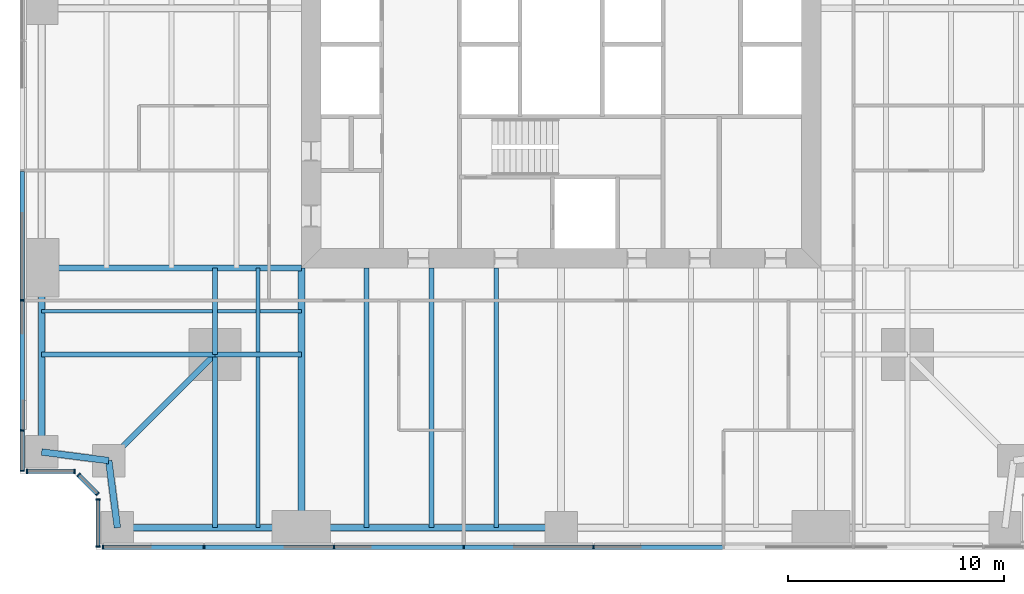
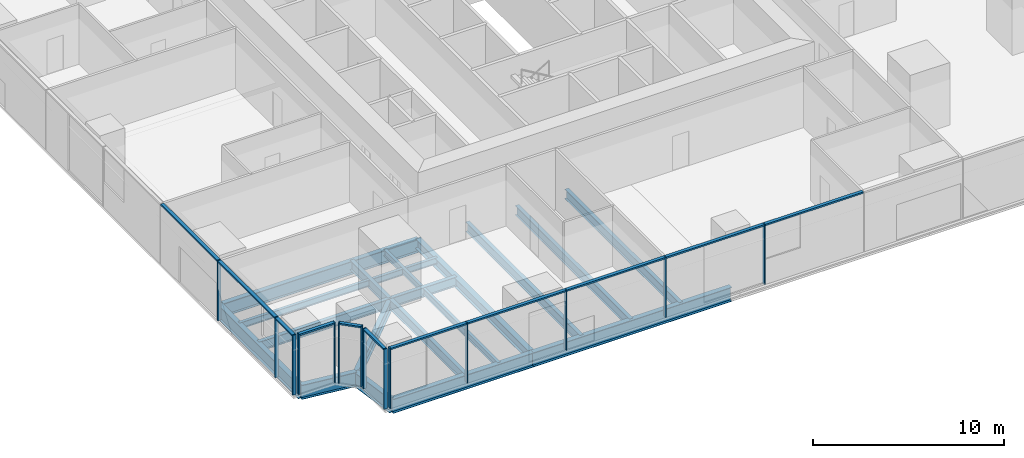
# One storey, part 2 of 13: 25 members, 20 beams, 5 elements without a shape of their own.
"""IFC4 building model written with IfcOpenShell, lengths in metres."""

import ifcopenshell
import ifcopenshell.guid

model = None  # the IFC model being written
_history = None  # IfcOwnerHistory: only IFC2X3 demands one
_inside = {}  # id of a spatial element -> (the spatial element, [elements in it])
_under = {}  # id of a project, library or spatial element -> (it, [spatial elements below it])
_declared = {}  # id of a project -> (the project, [libraries it declares])
_typed = {}  # id of a type object -> (the type object, [elements of that type])
_made_of = {}  # id of a material, layer set ... -> (it, [elements and type objects made of it])


def new_model(schema):
    """Start an empty IFC model of exactly this schema.

    Asked for "IFC4X3", IfcOpenShell would pick the latest addendum, in which some entities
    have other attributes; the version numbers below select the first issue.
    IFC2X3 requires an IfcOwnerHistory on every rooted entity: one is made here for all.
    """
    global model, _history
    if schema == "IFC4X3":
        model = ifcopenshell.file(schema_version=(4, 3, 0, 0))
    else:
        model = ifcopenshell.file(schema=schema)
    _inside.clear()
    _under.clear()
    _declared.clear()
    _typed.clear()
    _made_of.clear()
    _history = None
    if model.schema == "IFC2X3":
        org = make("IfcOrganization", Name="unknown")
        user = make(
            "IfcPersonAndOrganization",
            ThePerson=make("IfcPerson", FamilyName="unknown"),
            TheOrganization=org,
        )
        app = make(
            "IfcApplication",
            ApplicationDeveloper=org,
            Version="unknown",
            ApplicationFullName="unknown",
            ApplicationIdentifier="unknown",
        )
        _history = make(
            "IfcOwnerHistory",
            OwningUser=user,
            OwningApplication=app,
            ChangeAction="ADDED",
            CreationDate=0,
        )
    return model


def make(cls, **values):
    """One entity of the class cls with the attributes given. An attribute that is None is left unset."""
    return model.create_entity(
        cls, **{name: value for name, value in values.items() if value is not None}
    )


def rooted(cls, **values):
    """An entity with a GlobalId (a new one), such as an element, a storey or a relation."""
    return make(cls, GlobalId=ifcopenshell.guid.new(), OwnerHistory=_history, **values)


def si_unit(unit_type, name, prefix=None):
    """IfcSIUnit, for example si_unit("LENGTHUNIT", "METRE", prefix="MILLI")."""
    return make("IfcSIUnit", UnitType=unit_type, Prefix=prefix, Name=name)


def assignment(units):
    """IfcUnitAssignment: the units of a project."""
    return None if units is None else make("IfcUnitAssignment", Units=units)


def point(xyz):
    """IfcCartesianPoint."""
    return None if xyz is None else make("IfcCartesianPoint", Coordinates=xyz)


def direction(xyz):
    """IfcDirection."""
    return None if xyz is None else make("IfcDirection", DirectionRatios=xyz)


def frame(location, z_axis=None, x_axis=None):
    """IfcAxis2Placement3D, a coordinate frame: its origin and axes. An axis left out is left unset."""
    return make(
        "IfcAxis2Placement3D",
        Location=point(location),
        Axis=direction(z_axis),
        RefDirection=direction(x_axis),
    )


def frame_2d(location, x_axis=None):
    """IfcAxis2Placement2D, a coordinate frame in the plane: its origin and x axis."""
    return make(
        "IfcAxis2Placement2D", Location=point(location), RefDirection=direction(x_axis)
    )


def origin():
    """The frame at (0, 0, 0) with its axes left unset."""
    return frame((0.0, 0.0, 0.0))


def origin_2d():
    """The frame at (0, 0) in the plane with its x axis left unset."""
    return frame_2d((0.0, 0.0))


def place(relative_to, where):
    """IfcLocalPlacement: puts the frame where relative to a parent placement (None: the world)."""
    return make(
        "IfcLocalPlacement", PlacementRelTo=relative_to, RelativePlacement=where
    )


def context(
    kind, dimensions, precision=None, world=None, true_north=None, identifier=None
):
    """IfcGeometricRepresentationContext, for example the 3D "Model" context."""
    return make(
        "IfcGeometricRepresentationContext",
        ContextIdentifier=identifier,
        ContextType=kind,
        CoordinateSpaceDimension=dimensions,
        Precision=precision,
        WorldCoordinateSystem=world,
        TrueNorth=true_north,
    )


def subcontext(parent, identifier, kind, view, scale=None):
    """IfcGeometricRepresentationSubContext, for example "Body" below "Model"."""
    return make(
        "IfcGeometricRepresentationSubContext",
        ContextIdentifier=identifier,
        ContextType=kind,
        ParentContext=parent,
        TargetScale=scale,
        TargetView=view,
    )


def project(units=None, contexts=None):
    """IfcProject with its units and contexts."""
    return rooted(
        "IfcProject",
        Name="project",
        RepresentationContexts=contexts,
        UnitsInContext=assignment(units),
    )


def spatial(cls, under=None, at=None, **own):
    """A site, building, storey or space (cls), placed at a placement, below another one or the project."""
    s = rooted(cls, ObjectPlacement=at, **own)
    if under is not None:
        _under.setdefault(under.id(), (under, []))[1].append(s)
    return s


def profile(cls, at=None, kind="AREA", **sizes):
    """A parametric profile (cls). Its sizes go by their IFC names, for example OverallWidth=200.0."""
    return make(cls, ProfileType=kind, Position=at, **sizes)


def rectangle(**sizes):
    """IfcRectangleProfileDef."""
    return profile("IfcRectangleProfileDef", **sizes)


def i_section(**sizes):
    """IfcIShapeProfileDef."""
    return profile("IfcIShapeProfileDef", **sizes)


def extrude(swept, where, along, depth):
    """IfcExtrudedAreaSolid: the profile swept, set in the frame where, extruded along a direction by depth."""
    return make(
        "IfcExtrudedAreaSolid",
        SweptArea=swept,
        Position=where,
        ExtrudedDirection=direction(along),
        Depth=depth,
    )


def shape(context_of_items, identifier, shape_type, items):
    """IfcShapeRepresentation: the items that make up one representation, for example the "Body"."""
    return make(
        "IfcShapeRepresentation",
        ContextOfItems=context_of_items,
        RepresentationIdentifier=identifier,
        RepresentationType=shape_type,
        Items=items,
    )


def material(Name=None, Category=None):
    """IfcMaterial."""
    return make("IfcMaterial", Name=Name, Category=Category)


def material_profile(
    of_material, cross_section, Name=None, Category=None, Priority=None
):
    """IfcMaterialProfile: a cross section and its material."""
    return make(
        "IfcMaterialProfile",
        Name=Name,
        Material=of_material,
        Profile=cross_section,
        Priority=Priority,
        Category=Category,
    )


def profile_set(profiles, Name=None, composite=None):
    """IfcMaterialProfileSet."""
    return make(
        "IfcMaterialProfileSet",
        Name=Name,
        MaterialProfiles=profiles,
        CompositeProfile=composite,
    )


def made_of(thing, what):
    """Note that an element or type object is made of a material, layer set ...; save() writes the relation."""
    if what is not None:
        _made_of.setdefault(what.id(), (what, []))[1].append(thing)
    return thing


def type_object(cls, material=None, **own):
    """A type object (cls), such as IfcWallType, which elements share."""
    return made_of(rooted(cls, **own), material)


def element(
    cls,
    number,
    at=None,
    inside=None,
    cuts=None,
    type_object=None,
    material=None,
    context=None,
    identifier="Body",
    shape_type=None,
    held_by="IfcProductDefinitionShape",
    body=None,
    shapes=None,
    **own,
):
    """One element of the class cls, such as IfcWall. Its Tag is "e" and its number.

    at: its placement. inside: the storey or other place that contains it. cuts: it is an
    opening in that element (IfcRelVoidsElement). A single representation is given by context,
    identifier, shape_type and body (its items); several are given by shapes. held_by: the class
    of the entity that holds the representations. save() writes the other relations.
    """
    e = rooted(cls, Tag="e%d" % number, ObjectPlacement=at, **own)
    if body is not None:
        shapes = [shape(context, identifier, shape_type, body)]
    if shapes is not None:
        e.Representation = make(held_by, Representations=shapes)
    if inside is not None:
        _inside.setdefault(inside.id(), (inside, []))[1].append(e)
    if cuts is not None:
        rooted(
            "IfcRelVoidsElement", RelatingBuildingElement=cuts, RelatedOpeningElement=e
        )
    if type_object is not None:
        _typed.setdefault(type_object.id(), (type_object, []))[1].append(e)
    return made_of(e, material)


def aggregate(whole, parts):
    """IfcRelAggregates: a whole, such as a stair, and the parts it consists of."""
    return rooted("IfcRelAggregates", RelatingObject=whole, RelatedObjects=parts)


def save(model, path):
    """Write the relations noted so far, then the file.

    IfcRelAggregates (storeys below a building ...), IfcRelContainedInSpatialStructure (elements
    in a storey), IfcRelDefinesByType, IfcRelAssociatesMaterial and IfcRelDeclares: one each for
    every whole, place, type object, material and project.
    """
    for whole, parts in _under.values():
        aggregate(whole, parts)
    for where, things in _inside.values():
        rooted(
            "IfcRelContainedInSpatialStructure",
            RelatedElements=things,
            RelatingStructure=where,
        )
    for kind, things in _typed.values():
        rooted("IfcRelDefinesByType", RelatedObjects=things, RelatingType=kind)
    for what, things in _made_of.values():
        rooted("IfcRelAssociatesMaterial", RelatedObjects=things, RelatingMaterial=what)
    for by, libraries in _declared.values():
        rooted("IfcRelDeclares", RelatingContext=by, RelatedDefinitions=libraries)
    model.write(path)


model = new_model("IFC4")

# Units and contexts
model_context = context("Model", 3, precision=1e-05, world=origin(), true_north=direction((0.0, 1.0)))
body_context = subcontext(model_context, "Body", "Model", "MODEL_VIEW")
ifc_project = project(units=[si_unit("LENGTHUNIT", "METRE"), si_unit("AREAUNIT", "SQUARE_METRE"), si_unit("VOLUMEUNIT", "CUBIC_METRE"), si_unit("PLANEANGLEUNIT", "RADIAN"), si_unit("MASSUNIT", "GRAM", prefix="KILO")], contexts=[model_context])

# Site, building, storey
site_placement = place(None, origin())
site = spatial("IfcSite", under=ifc_project, at=site_placement, CompositionType="ELEMENT")
building_placement = place(site_placement, origin())
building = spatial("IfcBuilding", under=site, at=building_placement, Name="Fenwick Lantern Interchange", CompositionType="ELEMENT")
storey_placement = place(building_placement, frame((0.0, 0.0, 47.0)))
storey = spatial("IfcBuildingStorey", under=building, at=storey_placement, Name="L10", CompositionType="ELEMENT", Elevation=47.0)

# Beams
ifc_material_1 = material(Name="Steel ASTM A992 Grade 50", Category="steel")
ifc_material_profile_1 = material_profile(ifc_material_1, i_section(OverallWidth=0.3046875, OverallDepth=0.911865234375, WebThickness=0.015869140625, FlangeThickness=0.02392578125, at=origin_2d()), Name="W36X150")
ifc_profile_set_1 = profile_set([ifc_material_profile_1], Name="Steel ASTM A992 Grade 50")
beam_type_1 = type_object("IfcBeamType", Name="EDGE BEAM W36X150", PredefinedType="SPANDREL", material=ifc_profile_set_1)
beam_1_placement = place(storey_placement, frame((4.5, 1.0, -0.60595703125), z_axis=(1.0, 0.0, 0.0), x_axis=(0.0, 1.0, 0.0)))
element("IfcBeam", 1, at=beam_1_placement, inside=storey, type_object=beam_type_1, Name="L10/FR/S/EB1", PredefinedType="SPANDREL", context=body_context, shape_type="SweptSolid", body=[
    extrude(i_section(OverallWidth=0.3046875, OverallDepth=0.911865234375, WebThickness=0.015869140625, FlangeThickness=0.02392578125, at=origin_2d()), origin(), (0.0, 0.0, 1.0), 8.5),
])
beam_2_placement = place(storey_placement, frame((13.0, 1.0, -0.60595703125), z_axis=(1.0, 0.0, 0.0), x_axis=(0.0, 1.0, 0.0)))
element("IfcBeam", 2, at=beam_2_placement, inside=storey, type_object=beam_type_1, Name="L10/FR/S/EB2", PredefinedType="SPANDREL", context=body_context, shape_type="SweptSolid", body=[
    extrude(i_section(OverallWidth=0.3046875, OverallDepth=0.911865234375, WebThickness=0.015869140625, FlangeThickness=0.02392578125, at=origin_2d()), origin(), (0.0, 0.0, 1.0), 12.0),
])
beam_3_placement = place(storey_placement, frame((1.0, 13.0, -0.60595703125), z_axis=(0.0, -1.0, 0.0), x_axis=(1.0, 0.0, 0.0)))
element("IfcBeam", 3, at=beam_3_placement, inside=storey, type_object=beam_type_1, Name="L10/FR/W/EB4", PredefinedType="SPANDREL", context=body_context, shape_type="SweptSolid", body=[
    extrude(i_section(OverallWidth=0.3046875, OverallDepth=0.911865234375, WebThickness=0.015869140625, FlangeThickness=0.02392578125, at=origin_2d()), origin(), (0.0, 0.0, 1.0), 8.5),
])
for number, where, z_axis, x_axis, name in (
    (4, (1.0, 4.5, -0.60595703125), (0.991782342897, -0.127936641807, 0.0), (0.127936641807, 0.991782342897, 0.0), "L10/FR/W/EBR1"),
    (5, (4.10009765625, 4.10009765625, -0.60595703125), (0.127936641807, -0.991782342897, 0.0), (0.991782342897, 0.127936641807, 0.0), "L10/FR/W/EBR2"),
):
    element("IfcBeam", number, at=place(storey_placement, frame(where, z_axis=z_axis, x_axis=x_axis)), inside=storey, type_object=beam_type_1, Name=name, PredefinedType="SPANDREL", context=body_context, shape_type="SweptSolid", body=[
        extrude(i_section(OverallWidth=0.3046875, OverallDepth=0.911865234375, WebThickness=0.015869140625, FlangeThickness=0.02392578125, at=origin_2d()), origin(), (0.0, 0.0, 1.0), 3.125732421875),
    ])
ifc_material_profile_2 = material_profile(ifc_material_1, i_section(OverallWidth=0.22900390625, OverallDepth=0.612060546875, WebThickness=0.011962890625, FlangeThickness=0.01953125, at=origin_2d()), Name="W24X84")
ifc_profile_set_2 = profile_set([ifc_material_profile_2], Name="Steel ASTM A992 Grade 50")
beam_type_2 = type_object("IfcBeamType", Name="FLOOR BEAM W24X84", PredefinedType="BEAM", material=ifc_profile_set_2)
for number, where, z_axis, x_axis, name in (
    (6, (16.0, 1.0, -0.4560546875), (0.0, 1.0, 0.0), (-1.0, 0.0, 0.0), "L10/FR/S/R02"),
    (7, (19.0, 1.0, -0.4560546875), (0.0, 1.0, 0.0), (-1.0, 0.0, 0.0), "L10/FR/S/R03"),
    (8, (22.0, 1.0, -0.4560546875), (0.0, 1.0, 0.0), (-1.0, 0.0, 0.0), "L10/FR/S/R04"),
):
    element("IfcBeam", number, at=place(storey_placement, frame(where, z_axis=z_axis, x_axis=x_axis)), inside=storey, type_object=beam_type_2, Name=name, PredefinedType="BEAM", context=body_context, shape_type="SweptSolid", body=[
        extrude(i_section(OverallWidth=0.22900390625, OverallDepth=0.612060546875, WebThickness=0.011962890625, FlangeThickness=0.01953125, at=origin_2d()), origin(), (0.0, 0.0, 1.0), 12.0),
    ])
ifc_material_profile_3 = material_profile(ifc_material_1, i_section(OverallWidth=0.177734375, OverallDepth=0.406494140625, WebThickness=0.0078125, FlangeThickness=0.012939453125, at=origin_2d()), Name="W16X40")
ifc_profile_set_3 = profile_set([ifc_material_profile_3], Name="Steel ASTM A992 Grade 50")
beam_type_3 = type_object("IfcBeamType", Name="INFILL BEAM W16X40", PredefinedType="JOIST", material=ifc_profile_set_3)
beam_4_placement = place(storey_placement, frame((11.0, 1.0, -0.353271484375), z_axis=(0.0, 1.0, 0.0), x_axis=(-1.0, 0.0, 0.0)))
element("IfcBeam", 9, at=beam_4_placement, inside=storey, type_object=beam_type_3, Name="L10/FR/S/J1", PredefinedType="JOIST", context=body_context, shape_type="SweptSolid", body=[
    extrude(i_section(OverallWidth=0.177734375, OverallDepth=0.406494140625, WebThickness=0.0078125, FlangeThickness=0.012939453125, at=origin_2d()), origin(), (0.0, 0.0, 1.0), 7.885498046875),
])
beam_5_placement = place(storey_placement, frame((11.0, 9.114501953125, -0.353271484375), z_axis=(0.0, 1.0, 0.0), x_axis=(-1.0, 0.0, 0.0)))
element("IfcBeam", 10, at=beam_5_placement, inside=storey, type_object=beam_type_3, Name="L10/FR/S/J2", PredefinedType="JOIST", context=body_context, shape_type="SweptSolid", body=[
    extrude(i_section(OverallWidth=0.177734375, OverallDepth=0.406494140625, WebThickness=0.0078125, FlangeThickness=0.012939453125, at=origin_2d()), origin(), (0.0, 0.0, 1.0), 3.885498046875),
])
beam_6_placement = place(storey_placement, frame((1.0, 11.0, -0.353271484375), z_axis=(1.0, 0.0, 0.0), x_axis=(0.0, 1.0, 0.0)))
element("IfcBeam", 11, at=beam_6_placement, inside=storey, type_object=beam_type_3, Name="L10/FR/S/J3", PredefinedType="JOIST", context=body_context, shape_type="SweptSolid", body=[
    extrude(i_section(OverallWidth=0.177734375, OverallDepth=0.406494140625, WebThickness=0.0078125, FlangeThickness=0.012939453125, at=origin_2d()), origin(), (0.0, 0.0, 1.0), 7.885498046875),
])
beam_7_placement = place(storey_placement, frame((9.114501953125, 11.0, -0.353271484375), z_axis=(1.0, 0.0, 0.0), x_axis=(0.0, 1.0, 0.0)))
element("IfcBeam", 12, at=beam_7_placement, inside=storey, type_object=beam_type_3, Name="L10/FR/S/J4", PredefinedType="JOIST", context=body_context, shape_type="SweptSolid", body=[
    extrude(i_section(OverallWidth=0.177734375, OverallDepth=0.406494140625, WebThickness=0.0078125, FlangeThickness=0.012939453125, at=origin_2d()), origin(), (0.0, 0.0, 1.0), 1.796630859375),
])
beam_8_placement = place(storey_placement, frame((11.0888671875, 11.0, -0.353271484375), z_axis=(1.0, 0.0, 0.0), x_axis=(0.0, 1.0, 0.0)))
element("IfcBeam", 13, at=beam_8_placement, inside=storey, type_object=beam_type_3, Name="L10/FR/S/J5", PredefinedType="JOIST", context=body_context, shape_type="SweptSolid", body=[
    extrude(i_section(OverallWidth=0.177734375, OverallDepth=0.406494140625, WebThickness=0.0078125, FlangeThickness=0.012939453125, at=origin_2d()), origin(), (0.0, 0.0, 1.0), 1.9111328125),
])
ifc_material_profile_4 = material_profile(ifc_material_1, i_section(OverallWidth=0.22900390625, OverallDepth=0.612060546875, WebThickness=0.011962890625, FlangeThickness=0.01953125, at=origin_2d()), Name="W24X84")
ifc_profile_set_4 = profile_set([ifc_material_profile_4], Name="Steel ASTM A992 Grade 50")
beam_type_4 = type_object("IfcBeamType", Name="MEGA COLUMN BEAM W24X84", PredefinedType="BEAM", material=ifc_profile_set_4)
for number, where, z_axis, x_axis, name in (
    (14, (9.0, 9.0, -0.4560546875), (0.0, -1.0, 0.0), (1.0, 0.0, 0.0), "L10/FR/S/MB1"),
    (15, (9.0, 9.0, -0.4560546875), (-1.0, 0.0, 0.0), (0.0, -1.0, 0.0), "L10/FR/S/MB2"),
):
    element("IfcBeam", number, at=place(storey_placement, frame(where, z_axis=z_axis, x_axis=x_axis)), inside=storey, type_object=beam_type_4, Name=name, PredefinedType="BEAM", context=body_context, shape_type="SweptSolid", body=[
        extrude(i_section(OverallWidth=0.22900390625, OverallDepth=0.612060546875, WebThickness=0.011962890625, FlangeThickness=0.01953125, at=origin_2d()), origin(), (0.0, 0.0, 1.0), 8.0),
    ])
for number, where, z_axis, x_axis, name in (
    (16, (9.0, 9.0, -0.4560546875), (1.0, 0.0, 0.0), (0.0, 1.0, 0.0), "L10/FR/S/MB3"),
    (17, (9.0, 9.0, -0.4560546875), (0.0, 1.0, 0.0), (-1.0, 0.0, 0.0), "L10/FR/S/MB4"),
):
    element("IfcBeam", number, at=place(storey_placement, frame(where, z_axis=z_axis, x_axis=x_axis)), inside=storey, type_object=beam_type_4, Name=name, PredefinedType="BEAM", context=body_context, shape_type="SweptSolid", body=[
        extrude(i_section(OverallWidth=0.22900390625, OverallDepth=0.612060546875, WebThickness=0.011962890625, FlangeThickness=0.01953125, at=origin_2d()), origin(), (0.0, 0.0, 1.0), 4.0),
    ])
ifc_material_profile_5 = material_profile(ifc_material_1, i_section(OverallWidth=0.32763671875, OverallDepth=0.622314453125, WebThickness=0.015380859375, FlangeThickness=0.0244140625, at=origin_2d()), Name="W24X131")
ifc_profile_set_5 = profile_set([ifc_material_profile_5], Name="Steel ASTM A992 Grade 50")
beam_type_5 = type_object("IfcBeamType", Name="MOMENT-CONNECTED GIRDER W24X131", PredefinedType="BEAM", material=ifc_profile_set_5)
beam_9_placement = place(storey_placement, frame((13.0, 1.0, -0.461181640625), z_axis=(0.0, 1.0, 0.0), x_axis=(-1.0, 0.0, 0.0)))
element("IfcBeam", 18, at=beam_9_placement, inside=storey, type_object=beam_type_5, Name="L10/FR/S/R01", PredefinedType="BEAM", context=body_context, shape_type="SweptSolid", body=[
    extrude(i_section(OverallWidth=0.32763671875, OverallDepth=0.622314453125, WebThickness=0.015380859375, FlangeThickness=0.0244140625, at=origin_2d()), origin(), (0.0, 0.0, 1.0), 12.0),
])
ifc_material_profile_6 = material_profile(ifc_material_1, i_section(OverallWidth=0.2919921875, OverallDepth=0.845703125, WebThickness=0.015380859375, FlangeThickness=0.0244140625, at=origin_2d()), Name="W33X141")
ifc_profile_set_6 = profile_set([ifc_material_profile_6], Name="Steel ASTM A992 Grade 50")
beam_type_6 = type_object("IfcBeamType", Name="MOMENT-CONNECTED GIRDER W33X141", PredefinedType="BEAM", material=ifc_profile_set_6)
beam_10_placement = place(storey_placement, frame((1.0, 13.0, -0.572998046875), z_axis=(1.0, 0.0, 0.0), x_axis=(0.0, 1.0, 0.0)))
element("IfcBeam", 19, at=beam_10_placement, inside=storey, type_object=beam_type_6, Name="L10/FR/W/R03", PredefinedType="BEAM", context=body_context, shape_type="SweptSolid", body=[
    extrude(i_section(OverallWidth=0.2919921875, OverallDepth=0.845703125, WebThickness=0.015380859375, FlangeThickness=0.0244140625, at=origin_2d()), origin(), (0.0, 0.0, 1.0), 12.0),
])
ifc_material_profile_7 = material_profile(ifc_material_1, i_section(OverallWidth=0.2666015625, OverallDepth=0.7568359375, WebThickness=0.013916015625, FlangeThickness=0.019287109375, at=origin_2d()), Name="W30X108")
ifc_profile_set_7 = profile_set([ifc_material_profile_7], Name="Steel ASTM A992 Grade 50")
beam_type_7 = type_object("IfcBeamType", Name="NOTCH BEAM W30X108", PredefinedType="BEAM", material=ifc_profile_set_7)
beam_11_placement = place(storey_placement, frame((9.0, 9.0, -0.528564453125), z_axis=(-0.707106781187, -0.707106781187, 0.0), x_axis=(0.707106781187, -0.707106781187, 0.0)))
element("IfcBeam", 20, at=beam_11_placement, inside=storey, type_object=beam_type_7, Name="L10/FR/S/TG", PredefinedType="BEAM", context=body_context, shape_type="SweptSolid", body=[
    extrude(i_section(OverallWidth=0.2666015625, OverallDepth=0.7568359375, WebThickness=0.013916015625, FlangeThickness=0.019287109375, at=origin_2d()), origin(), (0.0, 0.0, 1.0), 6.929443359375),
])

# Curtain wall, members
ifc_material_2 = material(Name="Aluminium curtain wall frame", Category="aluminium")
curtain_wall_type = type_object("IfcCurtainWallType", Name="OFFICE CURTAIN WALL", PredefinedType="USERDEFINED", material=ifc_material_2)
curtain_wall_1_placement = place(storey_placement, origin())
curtain_wall_1 = element("IfcCurtainWall", 21, at=curtain_wall_1_placement, inside=storey, type_object=curtain_wall_type, Name="Office curtain wall 01", ObjectType="OFFICE CURTAIN WALL", PredefinedType="USERDEFINED")
ifc_material_3 = material(Name="Aluminium extrusion", Category="aluminium")
ifc_material_profile_8 = material_profile(ifc_material_3, rectangle(XDim=0.199951171875, YDim=0.06494140625, at=origin_2d()), Name="OFFICE CURTAIN WALL MULLION 65 X 200")
ifc_profile_set_8 = profile_set([ifc_material_profile_8], Name="Aluminium extrusion")
member_type_1 = type_object("IfcMemberType", Name="OFFICE CURTAIN WALL MULLION 65 X 200", PredefinedType="MULLION", material=ifc_profile_set_8)
member_1_placement = place(storey_placement, frame((3.83251953125, 0.10009765625, 0.0), z_axis=(0.0, 0.0, 1.0), x_axis=(0.0, 1.0, 0.0)))
member_1 = element("IfcMember", 22, at=member_1_placement, type_object=member_type_1, Name="L10/CW/01/M00", PredefinedType="MULLION", context=body_context, shape_type="SweptSolid", body=[
    extrude(rectangle(XDim=0.199951171875, YDim=0.06494140625, at=origin_2d()), origin(), (0.0, 0.0, 1.0), 3.85009765625),
])
member_2_placement = place(storey_placement, frame((8.5, 0.10009765625, 0.0), z_axis=(0.0, 0.0, 1.0), x_axis=(0.0, 1.0, 0.0)))
member_2 = element("IfcMember", 23, at=member_2_placement, type_object=member_type_1, Name="L10/CW/01/M01", PredefinedType="MULLION", context=body_context, shape_type="SweptSolid", body=[
    extrude(rectangle(XDim=0.199951171875, YDim=0.06494140625, at=origin_2d()), origin(), (0.0, 0.0, 1.0), 3.85009765625),
])
member_3_placement = place(storey_placement, frame((14.5, 0.10009765625, 0.0), z_axis=(0.0, 0.0, 1.0), x_axis=(0.0, 1.0, 0.0)))
member_3 = element("IfcMember", 24, at=member_3_placement, type_object=member_type_1, Name="L10/CW/01/M02", PredefinedType="MULLION", context=body_context, shape_type="SweptSolid", body=[
    extrude(rectangle(XDim=0.199951171875, YDim=0.06494140625, at=origin_2d()), origin(), (0.0, 0.0, 1.0), 3.85009765625),
])
member_4_placement = place(storey_placement, frame((20.5, 0.10009765625, 0.0), z_axis=(0.0, 0.0, 1.0), x_axis=(0.0, 1.0, 0.0)))
member_4 = element("IfcMember", 25, at=member_4_placement, type_object=member_type_1, Name="L10/CW/01/M03", PredefinedType="MULLION", context=body_context, shape_type="SweptSolid", body=[
    extrude(rectangle(XDim=0.199951171875, YDim=0.06494140625, at=origin_2d()), origin(), (0.0, 0.0, 1.0), 3.85009765625),
])
member_5_placement = place(storey_placement, frame((26.5, 0.10009765625, 0.0), z_axis=(0.0, 0.0, 1.0), x_axis=(0.0, 1.0, 0.0)))
member_5 = element("IfcMember", 26, at=member_5_placement, type_object=member_type_1, Name="L10/CW/01/M04", PredefinedType="MULLION", context=body_context, shape_type="SweptSolid", body=[
    extrude(rectangle(XDim=0.199951171875, YDim=0.06494140625, at=origin_2d()), origin(), (0.0, 0.0, 1.0), 3.85009765625),
])

curtain_wall_2_placement = place(storey_placement, origin())
curtain_wall_2 = element("IfcCurtainWall", 27, at=curtain_wall_2_placement, inside=storey, type_object=curtain_wall_type, Name="Office curtain wall 13", ObjectType="OFFICE CURTAIN WALL", PredefinedType="USERDEFINED")
member_6_placement = place(storey_placement, frame((0.10009765625, 11.5, 0.0), z_axis=(0.0, 0.0, 1.0), x_axis=(1.0, 0.0, 0.0)))
member_6 = element("IfcMember", 28, at=member_6_placement, type_object=member_type_1, Name="L10/CW/13/M06", PredefinedType="MULLION", context=body_context, shape_type="SweptSolid", body=[
    extrude(rectangle(XDim=0.199951171875, YDim=0.06494140625, at=origin_2d()), origin(), (0.0, 0.0, 1.0), 3.85009765625),
])
member_7_placement = place(storey_placement, frame((0.10009765625, 5.5, 0.0), z_axis=(0.0, 0.0, 1.0), x_axis=(1.0, 0.0, 0.0)))
member_7 = element("IfcMember", 29, at=member_7_placement, type_object=member_type_1, Name="L10/CW/13/M07", PredefinedType="MULLION", context=body_context, shape_type="SweptSolid", body=[
    extrude(rectangle(XDim=0.199951171875, YDim=0.06494140625, at=origin_2d()), origin(), (0.0, 0.0, 1.0), 3.85009765625),
])
member_8_placement = place(storey_placement, frame((0.10009765625, 3.632568359375, 0.0), z_axis=(0.0, 0.0, 1.0), x_axis=(1.0, 0.0, 0.0)))
member_8 = element("IfcMember", 30, at=member_8_placement, type_object=member_type_1, Name="L10/CW/13/M08", PredefinedType="MULLION", context=body_context, shape_type="SweptSolid", body=[
    extrude(rectangle(XDim=0.199951171875, YDim=0.06494140625, at=origin_2d()), origin(), (0.0, 0.0, 1.0), 3.85009765625),
])

curtain_wall_3_placement = place(storey_placement, origin())
curtain_wall_3 = element("IfcCurtainWall", 31, at=curtain_wall_3_placement, inside=storey, type_object=curtain_wall_type, Name="Office curtain wall 14", ObjectType="OFFICE CURTAIN WALL", PredefinedType="USERDEFINED")
member_9_placement = place(storey_placement, frame((0.33251953125, 3.60009765625, 0.0), z_axis=(0.0, 0.0, 1.0), x_axis=(0.0, 1.0, 0.0)))
member_9 = element("IfcMember", 32, at=member_9_placement, type_object=member_type_1, Name="L10/CW/14/M00", PredefinedType="MULLION", context=body_context, shape_type="SweptSolid", body=[
    extrude(rectangle(XDim=0.199951171875, YDim=0.06494140625, at=origin_2d()), origin(), (0.0, 0.0, 1.0), 3.85009765625),
])
member_10_placement = place(storey_placement, frame((2.509033203125, 3.60009765625, 0.0), z_axis=(0.0, 0.0, 1.0), x_axis=(0.0, 1.0, 0.0)))
member_10 = element("IfcMember", 33, at=member_10_placement, type_object=member_type_1, Name="L10/CW/14/M01", PredefinedType="MULLION", context=body_context, shape_type="SweptSolid", body=[
    extrude(rectangle(XDim=0.199951171875, YDim=0.06494140625, at=origin_2d()), origin(), (0.0, 0.0, 1.0), 3.85009765625),
])

curtain_wall_4_placement = place(storey_placement, origin())
curtain_wall_4 = element("IfcCurtainWall", 34, at=curtain_wall_4_placement, inside=storey, type_object=curtain_wall_type, Name="Office curtain wall 15", ObjectType="OFFICE CURTAIN WALL", PredefinedType="USERDEFINED")
member_11_placement = place(storey_placement, frame((2.705810546875, 3.435546875, 0.0), z_axis=(0.0, 0.0, 1.0), x_axis=(0.707106781187, 0.707106781187, 0.0)))
member_11 = element("IfcMember", 35, at=member_11_placement, type_object=member_type_1, Name="L10/CW/15/M00", PredefinedType="MULLION", context=body_context, shape_type="SweptSolid", body=[
    extrude(rectangle(XDim=0.199951171875, YDim=0.06494140625, at=origin_2d()), origin(), (0.0, 0.0, 1.0), 3.85009765625),
])
member_12_placement = place(storey_placement, frame((3.576904296875, 2.564453125, 0.0), z_axis=(0.0, 0.0, 1.0), x_axis=(0.707106781187, 0.707106781187, 0.0)))
member_12 = element("IfcMember", 36, at=member_12_placement, type_object=member_type_1, Name="L10/CW/15/M01", PredefinedType="MULLION", context=body_context, shape_type="SweptSolid", body=[
    extrude(rectangle(XDim=0.199951171875, YDim=0.06494140625, at=origin_2d()), origin(), (0.0, 0.0, 1.0), 3.85009765625),
])

curtain_wall_5_placement = place(storey_placement, origin())
curtain_wall_5 = element("IfcCurtainWall", 37, at=curtain_wall_5_placement, inside=storey, type_object=curtain_wall_type, Name="Office curtain wall 16", ObjectType="OFFICE CURTAIN WALL", PredefinedType="USERDEFINED")
member_13_placement = place(storey_placement, frame((3.60009765625, 2.308837890625, 0.0), z_axis=(0.0, 0.0, 1.0), x_axis=(1.0, 0.0, 0.0)))
member_13 = element("IfcMember", 38, at=member_13_placement, type_object=member_type_1, Name="L10/CW/16/M00", PredefinedType="MULLION", context=body_context, shape_type="SweptSolid", body=[
    extrude(rectangle(XDim=0.199951171875, YDim=0.06494140625, at=origin_2d()), origin(), (0.0, 0.0, 1.0), 3.85009765625),
])
member_14_placement = place(storey_placement, frame((3.60009765625, 0.132568359375, 0.0), z_axis=(0.0, 0.0, 1.0), x_axis=(1.0, 0.0, 0.0)))
member_14 = element("IfcMember", 39, at=member_14_placement, type_object=member_type_1, Name="L10/CW/16/M01", PredefinedType="MULLION", context=body_context, shape_type="SweptSolid", body=[
    extrude(rectangle(XDim=0.199951171875, YDim=0.06494140625, at=origin_2d()), origin(), (0.0, 0.0, 1.0), 3.85009765625),
])

# Member
ifc_material_profile_9 = material_profile(ifc_material_3, rectangle(XDim=0.199951171875, YDim=0.10009765625, at=origin_2d()), Name="OFFICE CURTAIN WALL TRANSOM 100 X 200")
ifc_profile_set_9 = profile_set([ifc_material_profile_9], Name="Aluminium extrusion")
member_type_2 = type_object("IfcMemberType", Name="OFFICE CURTAIN WALL TRANSOM 100 X 200", PredefinedType="MULLION", material=ifc_profile_set_9)
member_15_placement = place(storey_placement, frame((3.864990234375, 0.10009765625, 3.800048828125), z_axis=(1.0, 0.0, 0.0), x_axis=(0.0, 1.0, 0.0)))
member_15 = element("IfcMember", 40, at=member_15_placement, type_object=member_type_2, Name="L10/CW/01/T00", PredefinedType="MULLION", context=body_context, shape_type="SweptSolid", body=[
    extrude(rectangle(XDim=0.199951171875, YDim=0.10009765625, at=origin_2d()), origin(), (0.0, 0.0, 1.0), 4.6025390625),
])

member_16_placement = place(storey_placement, frame((8.532470703125, 0.10009765625, 3.800048828125), z_axis=(1.0, 0.0, 0.0), x_axis=(0.0, 1.0, 0.0)))
member_16 = element("IfcMember", 41, at=member_16_placement, type_object=member_type_2, Name="L10/CW/01/T01", PredefinedType="MULLION", context=body_context, shape_type="SweptSolid", body=[
    extrude(rectangle(XDim=0.199951171875, YDim=0.10009765625, at=origin_2d()), origin(), (0.0, 0.0, 1.0), 5.93505859375),
])

member_17_placement = place(storey_placement, frame((14.532470703125, 0.10009765625, 3.800048828125), z_axis=(1.0, 0.0, 0.0), x_axis=(0.0, 1.0, 0.0)))
member_17 = element("IfcMember", 42, at=member_17_placement, type_object=member_type_2, Name="L10/CW/01/T02", PredefinedType="MULLION", context=body_context, shape_type="SweptSolid", body=[
    extrude(rectangle(XDim=0.199951171875, YDim=0.10009765625, at=origin_2d()), origin(), (0.0, 0.0, 1.0), 5.93505859375),
])

member_18_placement = place(storey_placement, frame((20.532470703125, 0.10009765625, 3.800048828125), z_axis=(1.0, 0.0, 0.0), x_axis=(0.0, 1.0, 0.0)))
member_18 = element("IfcMember", 43, at=member_18_placement, type_object=member_type_2, Name="L10/CW/01/T03", PredefinedType="MULLION", context=body_context, shape_type="SweptSolid", body=[
    extrude(rectangle(XDim=0.199951171875, YDim=0.10009765625, at=origin_2d()), origin(), (0.0, 0.0, 1.0), 5.93505859375),
])

member_19_placement = place(storey_placement, frame((26.532470703125, 0.10009765625, 3.800048828125), z_axis=(1.0, 0.0, 0.0), x_axis=(0.0, 1.0, 0.0)))
member_19 = element("IfcMember", 44, at=member_19_placement, type_object=member_type_2, Name="L10/CW/01/T04", PredefinedType="MULLION", context=body_context, shape_type="SweptSolid", body=[
    extrude(rectangle(XDim=0.199951171875, YDim=0.10009765625, at=origin_2d()), origin(), (0.0, 0.0, 1.0), 5.93505859375),
])

aggregate(curtain_wall_1, [member_1, member_2, member_3, member_4, member_5, member_15, member_16, member_17, member_18, member_19])

member_20_placement = place(storey_placement, frame((0.10009765625, 17.467529296875, 3.800048828125), z_axis=(0.0, -1.0, 0.0), x_axis=(1.0, 0.0, 0.0)))
member_20 = element("IfcMember", 45, at=member_20_placement, type_object=member_type_2, Name="L10/CW/13/T05", PredefinedType="MULLION", context=body_context, shape_type="SweptSolid", body=[
    extrude(rectangle(XDim=0.199951171875, YDim=0.10009765625, at=origin_2d()), origin(), (0.0, 0.0, 1.0), 5.93505859375),
])

member_21_placement = place(storey_placement, frame((0.10009765625, 11.467529296875, 3.800048828125), z_axis=(0.0, -1.0, 0.0), x_axis=(1.0, 0.0, 0.0)))
member_21 = element("IfcMember", 46, at=member_21_placement, type_object=member_type_2, Name="L10/CW/13/T06", PredefinedType="MULLION", context=body_context, shape_type="SweptSolid", body=[
    extrude(rectangle(XDim=0.199951171875, YDim=0.10009765625, at=origin_2d()), origin(), (0.0, 0.0, 1.0), 5.93505859375),
])

member_22_placement = place(storey_placement, frame((0.10009765625, 5.467529296875, 3.800048828125), z_axis=(0.0, -1.0, 0.0), x_axis=(1.0, 0.0, 0.0)))
member_22 = element("IfcMember", 47, at=member_22_placement, type_object=member_type_2, Name="L10/CW/13/T07", PredefinedType="MULLION", context=body_context, shape_type="SweptSolid", body=[
    extrude(rectangle(XDim=0.199951171875, YDim=0.10009765625, at=origin_2d()), origin(), (0.0, 0.0, 1.0), 1.802490234375),
])

aggregate(curtain_wall_2, [member_6, member_7, member_8, member_20, member_21, member_22])

member_23_placement = place(storey_placement, frame((0.364990234375, 3.60009765625, 3.800048828125), z_axis=(1.0, 0.0, 0.0), x_axis=(0.0, 1.0, 0.0)))
member_23 = element("IfcMember", 48, at=member_23_placement, type_object=member_type_2, Name="L10/CW/14/T00", PredefinedType="MULLION", context=body_context, shape_type="SweptSolid", body=[
    extrude(rectangle(XDim=0.199951171875, YDim=0.10009765625, at=origin_2d()), origin(), (0.0, 0.0, 1.0), 2.111328125),
])

aggregate(curtain_wall_3, [member_9, member_10, member_23])

member_24_placement = place(storey_placement, frame((2.728759765625, 3.41259765625, 3.800048828125), z_axis=(0.707106781187, -0.707106781187, 0.0), x_axis=(0.707106781187, 0.707106781187, 0.0)))
member_24 = element("IfcMember", 49, at=member_24_placement, type_object=member_type_2, Name="L10/CW/15/T00", PredefinedType="MULLION", context=body_context, shape_type="SweptSolid", body=[
    extrude(rectangle(XDim=0.199951171875, YDim=0.10009765625, at=origin_2d()), origin(), (0.0, 0.0, 1.0), 1.1669921875),
])

aggregate(curtain_wall_4, [member_11, member_12, member_24])

member_25_placement = place(storey_placement, frame((3.60009765625, 2.2763671875, 3.800048828125), z_axis=(0.0, -1.0, 0.0), x_axis=(1.0, 0.0, 0.0)))
member_25 = element("IfcMember", 50, at=member_25_placement, type_object=member_type_2, Name="L10/CW/16/T00", PredefinedType="MULLION", context=body_context, shape_type="SweptSolid", body=[
    extrude(rectangle(XDim=0.199951171875, YDim=0.10009765625, at=origin_2d()), origin(), (0.0, 0.0, 1.0), 2.111328125),
])

aggregate(curtain_wall_5, [member_13, member_14, member_25])

save(model, "model.ifc")
